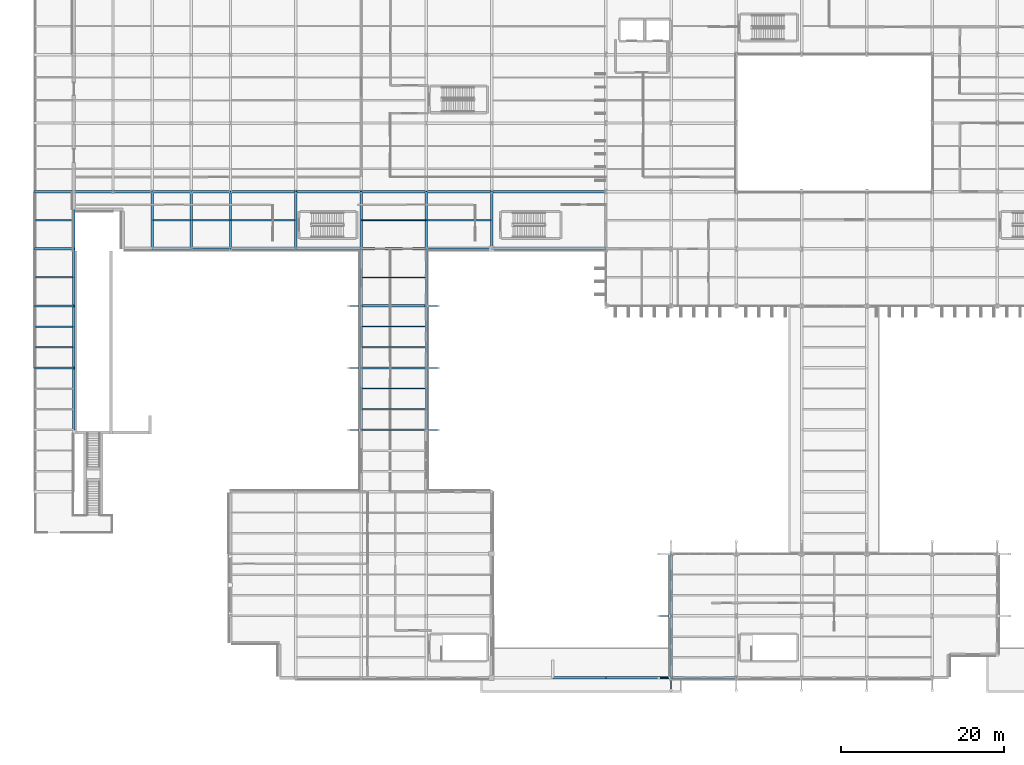
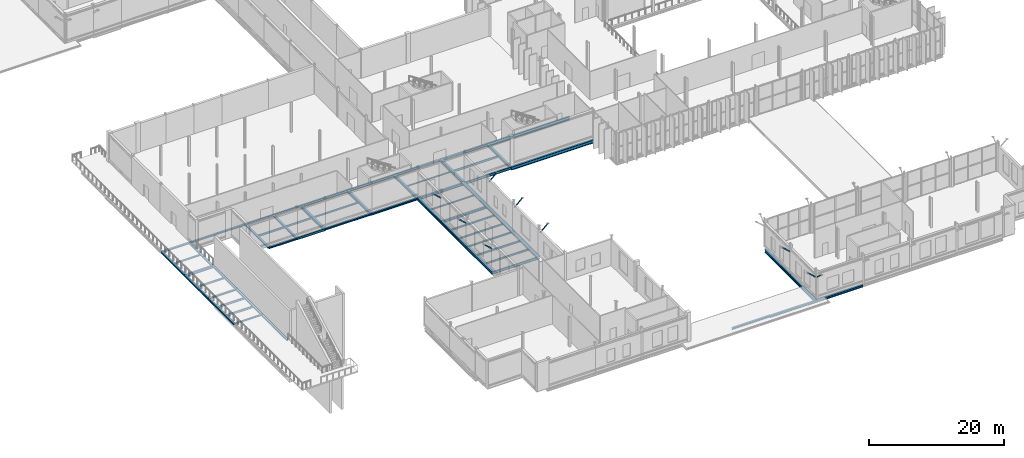
# One storey, part 26 of 147: 62 beams, 9 members.
"""IFC4 building model written with IfcOpenShell, lengths in metres."""

from ifc_helpers import new_model, si_unit, direction, frame, origin, origin_2d, place, context, subcontext, project, spatial, hollow_rectangle, i_section, extrude, material, material_profile, profile_set, type_object, element, save


model = new_model("IFC4")

# Units and contexts
model_context = context("Model", 3, precision=1e-05, world=origin(), true_north=direction((0.0, 1.0)))
body_context = subcontext(model_context, "Body", "Model", "MODEL_VIEW")
ifc_project = project(units=[si_unit("LENGTHUNIT", "METRE"), si_unit("AREAUNIT", "SQUARE_METRE"), si_unit("VOLUMEUNIT", "CUBIC_METRE"), si_unit("PLANEANGLEUNIT", "RADIAN"), si_unit("MASSUNIT", "GRAM", prefix="KILO")], contexts=[model_context])

# Site, building, storey
site_placement = place(None, origin())
site = spatial("IfcSite", under=ifc_project, at=site_placement, CompositionType="ELEMENT")
building_placement = place(site_placement, origin())
building = spatial("IfcBuilding", under=site, at=building_placement, Name="Vekula Escarpment Museum", CompositionType="ELEMENT")
storey_placement = place(building_placement, frame((0.0, 0.0, 7.800048828125)))
storey = spatial("IfcBuildingStorey", under=building, at=storey_placement, Name="L02", CompositionType="ELEMENT", Elevation=7.800048828125)

# Beams
ifc_material_1 = material(Name="Steel S355", Category="steel")
ifc_material_profile_1 = material_profile(ifc_material_1, i_section(OverallWidth=0.300048828125, OverallDepth=0.300048828125, WebThickness=0.010986328125, FlangeThickness=0.01904296875, FilletRadius=0.027099609375, at=origin_2d()), Name="HEB 300")
ifc_profile_set_1 = profile_set([ifc_material_profile_1], Name="Steel S355")
beam_type_1 = type_object("IfcBeamType", Name="BM-GIRD-HEB300", PredefinedType="BEAM", material=ifc_profile_set_1)
beam_1_placement = place(storey_placement, frame((14.39990234375, 52.60009765625, -0.41015625), z_axis=(1.0, 0.0, 0.0), x_axis=(0.0, 1.0, 0.0)))
element("IfcBeam", 1, at=beam_1_placement, inside=storey, type_object=beam_type_1, Name="Beam X L02 0853", PredefinedType="BEAM", context=body_context, shape_type="SweptSolid", body=[
    extrude(i_section(OverallWidth=0.300048828125, OverallDepth=0.300048828125, WebThickness=0.010986328125, FlangeThickness=0.01904296875, FilletRadius=0.027099609375, at=origin_2d()), origin(), (0.0, 0.0, 1.0), 4.800048828125),
])
beam_2_placement = place(storey_placement, frame((24.0, 52.60009765625, -0.41015625), z_axis=(1.0, 0.0, 0.0), x_axis=(0.0, 1.0, 0.0)))
element("IfcBeam", 2, at=beam_2_placement, inside=storey, type_object=beam_type_1, Name="Beam X L02 0855", PredefinedType="BEAM", context=body_context, shape_type="SweptSolid", body=[
    extrude(i_section(OverallWidth=0.300048828125, OverallDepth=0.300048828125, WebThickness=0.010986328125, FlangeThickness=0.01904296875, FilletRadius=0.027099609375, at=origin_2d()), origin(), (0.0, 0.0, 1.0), 8.0),
])
ifc_material_2 = material(Name="Steel S355", Category="steel")
ifc_material_profile_2 = material_profile(ifc_material_2, i_section(OverallWidth=0.300048828125, OverallDepth=0.360107421875, WebThickness=0.012451171875, FlangeThickness=0.0224609375, FilletRadius=0.027099609375, at=origin_2d()), Name="HEB 360")
ifc_profile_set_2 = profile_set([ifc_material_profile_2], Name="Steel S355")
beam_type_2 = type_object("IfcBeamType", Name="BM-GIRD-HEB360", PredefinedType="BEAM", material=ifc_profile_set_2)
beam_3_placement = place(storey_placement, frame((32.0, 52.60009765625, -0.43994140625), z_axis=(1.0, 0.0, 0.0), x_axis=(0.0, 1.0, 0.0)))
element("IfcBeam", 3, at=beam_3_placement, inside=storey, type_object=beam_type_2, Name="Beam X L02 0856", PredefinedType="BEAM", context=body_context, shape_type="SweptSolid", body=[
    extrude(i_section(OverallWidth=0.300048828125, OverallDepth=0.360107421875, WebThickness=0.012451171875, FlangeThickness=0.0224609375, FilletRadius=0.027099609375, at=origin_2d()), origin(), (0.0, 0.0, 1.0), 8.0),
])
ifc_material_3 = material(Name="Steel S355", Category="steel")
ifc_material_profile_3 = material_profile(ifc_material_3, i_section(OverallWidth=0.300048828125, OverallDepth=0.449951171875, WebThickness=0.013916015625, FlangeThickness=0.02587890625, FilletRadius=0.027099609375, at=origin_2d()), Name="HEB 450")
ifc_profile_set_3 = profile_set([ifc_material_profile_3], Name="Steel S355")
beam_type_3 = type_object("IfcBeamType", Name="BM-GIRD-HEB450", PredefinedType="BEAM", material=ifc_profile_set_3)
beam_4_placement = place(storey_placement, frame((0.0, 52.60009765625, -0.445068359375), z_axis=(1.0, 0.0, 0.0), x_axis=(0.0, 1.0, 0.0)))
element("IfcBeam", 4, at=beam_4_placement, inside=storey, type_object=beam_type_3, Name="Beam X L02 0852", PredefinedType="BEAM", context=body_context, shape_type="SweptSolid", body=[
    extrude(i_section(OverallWidth=0.300048828125, OverallDepth=0.449951171875, WebThickness=0.013916015625, FlangeThickness=0.02587890625, FilletRadius=0.027099609375, at=origin_2d()), origin(), (0.0, 0.0, 1.0), 4.800048828125),
])
beam_5_placement = place(storey_placement, frame((40.0, 52.60009765625, -0.485107421875), z_axis=(1.0, 0.0, 0.0), x_axis=(0.0, 1.0, 0.0)))
element("IfcBeam", 5, at=beam_5_placement, inside=storey, type_object=beam_type_3, Name="Beam X L02 0857", PredefinedType="BEAM", context=body_context, shape_type="SweptSolid", body=[
    extrude(i_section(OverallWidth=0.300048828125, OverallDepth=0.449951171875, WebThickness=0.013916015625, FlangeThickness=0.02587890625, FilletRadius=0.027099609375, at=origin_2d()), origin(), (0.0, 0.0, 1.0), 8.0),
])
ifc_material_4 = material(Name="Steel S355", Category="steel")
ifc_material_profile_4 = material_profile(ifc_material_4, i_section(OverallWidth=0.300048828125, OverallDepth=0.5, WebThickness=0.014404296875, FlangeThickness=0.028076171875, FilletRadius=0.027099609375, at=origin_2d()), Name="HEB 500")
ifc_profile_set_4 = profile_set([ifc_material_profile_4], Name="Steel S355")
beam_type_4 = type_object("IfcBeamType", Name="BM-GIRD-HEB500", PredefinedType="BEAM", material=ifc_profile_set_4)
for number, where, z_axis, x_axis, name in (
    (6, (24.0, 52.60009765625, -0.510009765625), (0.0, 1.0, 0.0), (-1.0, 0.0, 0.0), "Beam Y L02 1062"),
    (7, (32.0, 52.60009765625, -0.510009765625), (0.0, 1.0, 0.0), (-1.0, 0.0, 0.0), "Beam Y L02 1072"),
):
    element("IfcBeam", number, at=place(storey_placement, frame(where, z_axis=z_axis, x_axis=x_axis)), inside=storey, type_object=beam_type_4, Name=name, PredefinedType="BEAM", context=body_context, shape_type="SweptSolid", body=[
        extrude(i_section(OverallWidth=0.300048828125, OverallDepth=0.5, WebThickness=0.014404296875, FlangeThickness=0.028076171875, FilletRadius=0.027099609375, at=origin_2d()), origin(), (0.0, 0.0, 1.0), 7.0),
    ])
for number, where, z_axis, x_axis, name in (
    (8, (40.0, 30.39990234375, -0.510009765625), (0.0, 1.0, 0.0), (-1.0, 0.0, 0.0), "Beam Y L02 1083"),
    (9, (40.0, 38.0, -0.510009765625), (0.0, 1.0, 0.0), (-1.0, 0.0, 0.0), "Beam Y L02 1084"),
):
    element("IfcBeam", number, at=place(storey_placement, frame(where, z_axis=z_axis, x_axis=x_axis)), inside=storey, type_object=beam_type_4, Name=name, PredefinedType="BEAM", context=body_context, shape_type="SweptSolid", body=[
        extrude(i_section(OverallWidth=0.300048828125, OverallDepth=0.5, WebThickness=0.014404296875, FlangeThickness=0.028076171875, FilletRadius=0.027099609375, at=origin_2d()), origin(), (0.0, 0.0, 1.0), 7.60009765625),
    ])
for number, where, z_axis, x_axis, name in (
    (10, (40.0, 45.60009765625, -0.510009765625), (0.0, 1.0, 0.0), (-1.0, 0.0, 0.0), "Beam Y L02 1085"),
    (11, (40.0, 52.60009765625, -0.510009765625), (0.0, 1.0, 0.0), (-1.0, 0.0, 0.0), "Beam Y L02 1086"),
):
    element("IfcBeam", number, at=place(storey_placement, frame(where, z_axis=z_axis, x_axis=x_axis)), inside=storey, type_object=beam_type_4, Name=name, PredefinedType="BEAM", context=body_context, shape_type="SweptSolid", body=[
        extrude(i_section(OverallWidth=0.300048828125, OverallDepth=0.5, WebThickness=0.014404296875, FlangeThickness=0.028076171875, FilletRadius=0.027099609375, at=origin_2d()), origin(), (0.0, 0.0, 1.0), 7.0),
    ])
for number, where, z_axis, x_axis, name in (
    (12, (48.0, 30.39990234375, -0.510009765625), (0.0, 1.0, 0.0), (-1.0, 0.0, 0.0), "Beam Y L02 1101"),
    (13, (48.0, 38.0, -0.510009765625), (0.0, 1.0, 0.0), (-1.0, 0.0, 0.0), "Beam Y L02 1102"),
):
    element("IfcBeam", number, at=place(storey_placement, frame(where, z_axis=z_axis, x_axis=x_axis)), inside=storey, type_object=beam_type_4, Name=name, PredefinedType="BEAM", context=body_context, shape_type="SweptSolid", body=[
        extrude(i_section(OverallWidth=0.300048828125, OverallDepth=0.5, WebThickness=0.014404296875, FlangeThickness=0.028076171875, FilletRadius=0.027099609375, at=origin_2d()), origin(), (0.0, 0.0, 1.0), 7.60009765625),
    ])
for number, where, z_axis, x_axis, name in (
    (14, (48.0, 45.60009765625, -0.510009765625), (0.0, 1.0, 0.0), (-1.0, 0.0, 0.0), "Beam Y L02 1103"),
    (15, (48.0, 52.60009765625, -0.510009765625), (0.0, 1.0, 0.0), (-1.0, 0.0, 0.0), "Beam Y L02 1104"),
    (16, (56.0, 52.60009765625, -0.510009765625), (0.0, 1.0, 0.0), (-1.0, 0.0, 0.0), "Beam Y L02 1118"),
):
    element("IfcBeam", number, at=place(storey_placement, frame(where, z_axis=z_axis, x_axis=x_axis)), inside=storey, type_object=beam_type_4, Name=name, PredefinedType="BEAM", context=body_context, shape_type="SweptSolid", body=[
        extrude(i_section(OverallWidth=0.300048828125, OverallDepth=0.5, WebThickness=0.014404296875, FlangeThickness=0.028076171875, FilletRadius=0.027099609375, at=origin_2d()), origin(), (0.0, 0.0, 1.0), 7.0),
    ])
beam_6_placement = place(storey_placement, frame((78.0, 0.0, -0.510009765625), z_axis=(0.0, 1.0, 0.0), x_axis=(-1.0, 0.0, 0.0)))
element("IfcBeam", 17, at=beam_6_placement, inside=storey, type_object=beam_type_4, Name="Beam Y L02 1132", PredefinedType="BEAM", context=body_context, shape_type="SweptSolid", body=[
    extrude(i_section(OverallWidth=0.300048828125, OverallDepth=0.5, WebThickness=0.014404296875, FlangeThickness=0.028076171875, FilletRadius=0.027099609375, at=origin_2d()), origin(), (0.0, 0.0, 1.0), 7.60009765625),
])
beam_7_placement = place(storey_placement, frame((78.0, 7.60009765625, -0.510009765625), z_axis=(0.0, 1.0, 0.0), x_axis=(-1.0, 0.0, 0.0)))
element("IfcBeam", 18, at=beam_7_placement, inside=storey, type_object=beam_type_4, Name="Beam Y L02 1133", PredefinedType="BEAM", context=body_context, shape_type="SweptSolid", body=[
    extrude(i_section(OverallWidth=0.300048828125, OverallDepth=0.5, WebThickness=0.014404296875, FlangeThickness=0.028076171875, FilletRadius=0.027099609375, at=origin_2d()), origin(), (0.0, 0.0, 1.0), 7.599853515625),
])
ifc_material_5 = material(Name="Steel S355", Category="steel")
ifc_material_profile_5 = material_profile(ifc_material_5, i_section(OverallWidth=0.300048828125, OverallDepth=0.60009765625, WebThickness=0.015380859375, FlangeThickness=0.030029296875, FilletRadius=0.027099609375, at=origin_2d()), Name="HEB 600")
ifc_profile_set_5 = profile_set([ifc_material_profile_5], Name="Steel S355")
beam_type_5 = type_object("IfcBeamType", Name="BM-GIRD-HEB600", PredefinedType="BEAM", material=ifc_profile_set_5)
for number, where, z_axis, x_axis, name in (
    (19, (56.0, 52.60009765625, -0.56005859375), (1.0, 0.0, 0.0), (0.0, 1.0, 0.0), "Beam X L02 0859"),
    (20, (56.0, 59.60009765625, -0.56005859375), (1.0, 0.0, 0.0), (0.0, 1.0, 0.0), "Beam X L02 0877"),
):
    element("IfcBeam", number, at=place(storey_placement, frame(where, z_axis=z_axis, x_axis=x_axis)), inside=storey, type_object=beam_type_5, Name=name, PredefinedType="BEAM", context=body_context, shape_type="SweptSolid", body=[
        extrude(i_section(OverallWidth=0.300048828125, OverallDepth=0.60009765625, WebThickness=0.015380859375, FlangeThickness=0.030029296875, FilletRadius=0.027099609375, at=origin_2d()), origin(), (0.0, 0.0, 1.0), 14.0),
    ])
ifc_material_6 = material(Name="Steel S355", Category="steel")
ifc_material_profile_6 = material_profile(ifc_material_6, i_section(OverallWidth=0.179931640625, OverallDepth=0.39990234375, WebThickness=0.008544921875, FlangeThickness=0.013427734375, FilletRadius=0.02099609375, at=origin_2d()), Name="IPE 400")
ifc_profile_set_6 = profile_set([ifc_material_profile_6], Name="Steel S355")
beam_type_6 = type_object("IfcBeamType", Name="BM-GIRD-IPE400", PredefinedType="BEAM", material=ifc_profile_set_6)
beam_8_placement = place(storey_placement, frame((19.199951171875, 52.60009765625, -0.4599609375), z_axis=(1.0, 0.0, 0.0), x_axis=(0.0, 1.0, 0.0)))
element("IfcBeam", 21, at=beam_8_placement, inside=storey, type_object=beam_type_6, Name="Beam X L02 0854", PredefinedType="BEAM", context=body_context, shape_type="SweptSolid", body=[
    extrude(i_section(OverallWidth=0.179931640625, OverallDepth=0.39990234375, WebThickness=0.008544921875, FlangeThickness=0.013427734375, FilletRadius=0.02099609375, at=origin_2d()), origin(), (0.0, 0.0, 1.0), 4.800048828125),
])
ifc_material_7 = material(Name="Steel S355", Category="steel")
ifc_material_profile_7 = material_profile(ifc_material_7, i_section(OverallWidth=0.18994140625, OverallDepth=0.449951171875, WebThickness=0.009521484375, FlangeThickness=0.0146484375, FilletRadius=0.02099609375, at=origin_2d()), Name="IPE 450")
ifc_profile_set_7 = profile_set([ifc_material_profile_7], Name="Steel S355")
beam_type_7 = type_object("IfcBeamType", Name="BM-GIRD-IPE450", PredefinedType="BEAM", material=ifc_profile_set_7)
for number, where, z_axis, x_axis, name in (
    (22, (40.0, 30.39990234375, -0.485107421875), (1.0, 0.0, 0.0), (0.0, 1.0, 0.0), "Beam X L02 0835"),
    (23, (48.0, 52.60009765625, -0.485107421875), (1.0, 0.0, 0.0), (0.0, 1.0, 0.0), "Beam X L02 0858"),
):
    element("IfcBeam", number, at=place(storey_placement, frame(where, z_axis=z_axis, x_axis=x_axis)), inside=storey, type_object=beam_type_7, Name=name, PredefinedType="BEAM", context=body_context, shape_type="SweptSolid", body=[
        extrude(i_section(OverallWidth=0.18994140625, OverallDepth=0.449951171875, WebThickness=0.009521484375, FlangeThickness=0.0146484375, FilletRadius=0.02099609375, at=origin_2d()), origin(), (0.0, 0.0, 1.0), 8.0),
    ])
ifc_material_8 = material(Name="Steel S355", Category="steel")
ifc_material_profile_8 = material_profile(ifc_material_8, i_section(OverallWidth=0.1201171875, OverallDepth=0.239990234375, WebThickness=0.006103515625, FlangeThickness=0.009765625, FilletRadius=0.014892578125, at=origin_2d()), Name="IPE 240")
ifc_profile_set_8 = profile_set([ifc_material_profile_8], Name="Steel S355")
beam_type_8 = type_object("IfcBeamType", Name="BM-JST-IPE240", PredefinedType="JOIST", material=ifc_profile_set_8)
beam_9_placement = place(storey_placement, frame((40.090087890625, 56.10009765625, -0.380126953125), z_axis=(1.0, 0.0, 0.0), x_axis=(0.0, 1.0, 0.0)))
element("IfcBeam", 24, at=beam_9_placement, inside=storey, type_object=beam_type_8, Name="Secondary Joist L02 0696", PredefinedType="JOIST", context=body_context, shape_type="SweptSolid", body=[
    extrude(i_section(OverallWidth=0.1201171875, OverallDepth=0.239990234375, WebThickness=0.006103515625, FlangeThickness=0.009765625, FilletRadius=0.014892578125, at=origin_2d()), origin(), (0.0, 0.0, 1.0), 7.81982421875),
])
ifc_material_9 = material(Name="Steel S355", Category="steel")
ifc_material_profile_9 = material_profile(ifc_material_9, i_section(OverallWidth=0.135009765625, OverallDepth=0.27001953125, WebThickness=0.006591796875, FlangeThickness=0.01025390625, FilletRadius=0.014892578125, at=origin_2d()), Name="IPE 270")
ifc_profile_set_9 = profile_set([ifc_material_profile_9], Name="Steel S355")
beam_type_9 = type_object("IfcBeamType", Name="BM-JST-IPE270", PredefinedType="JOIST", material=ifc_profile_set_9)
beam_10_placement = place(storey_placement, frame((40.090087890625, 49.10009765625, -0.39501953125), z_axis=(1.0, 0.0, 0.0), x_axis=(0.0, 1.0, 0.0)))
element("IfcBeam", 25, at=beam_10_placement, inside=storey, type_object=beam_type_9, Name="Secondary Joist L02 0695", PredefinedType="JOIST", context=body_context, shape_type="SweptSolid", body=[
    extrude(i_section(OverallWidth=0.135009765625, OverallDepth=0.27001953125, WebThickness=0.006591796875, FlangeThickness=0.01025390625, FilletRadius=0.014892578125, at=origin_2d()), origin(), (0.0, 0.0, 1.0), 7.81982421875),
])
ifc_material_10 = material(Name="Steel S355", Category="steel")
ifc_material_profile_10 = material_profile(ifc_material_10, i_section(OverallWidth=0.14990234375, OverallDepth=0.300048828125, WebThickness=0.007080078125, FlangeThickness=0.0107421875, FilletRadius=0.014892578125, at=origin_2d()), Name="IPE 300")
ifc_profile_set_10 = profile_set([ifc_material_profile_10], Name="Steel S355")
beam_type_10 = type_object("IfcBeamType", Name="BM-JST-IPE300", PredefinedType="JOIST", material=ifc_profile_set_10)
beam_11_placement = place(storey_placement, frame((0.090087890625, 56.10009765625, -0.41015625), z_axis=(1.0, 0.0, 0.0), x_axis=(0.0, 1.0, 0.0)))
element("IfcBeam", 26, at=beam_11_placement, inside=storey, type_object=beam_type_10, Name="Secondary Joist L02 0602", PredefinedType="JOIST", context=body_context, shape_type="SweptSolid", body=[
    extrude(i_section(OverallWidth=0.14990234375, OverallDepth=0.300048828125, WebThickness=0.007080078125, FlangeThickness=0.0107421875, FilletRadius=0.014892578125, at=origin_2d()), origin(), (0.0, 0.0, 1.0), 4.619873046875),
])
for number, where, z_axis, x_axis, name in (
    (27, (24.090087890625, 56.10009765625, -0.41015625), (1.0, 0.0, 0.0), (0.0, 1.0, 0.0), "Secondary Joist L02 0656"),
    (28, (40.090087890625, 40.533203125, -0.41015625), (1.0, 0.0, 0.0), (0.0, 1.0, 0.0), "Secondary Joist L02 0693"),
    (29, (40.090087890625, 43.066650390625, -0.41015625), (1.0, 0.0, 0.0), (0.0, 1.0, 0.0), "Secondary Joist L02 0694"),
):
    element("IfcBeam", number, at=place(storey_placement, frame(where, z_axis=z_axis, x_axis=x_axis)), inside=storey, type_object=beam_type_10, Name=name, PredefinedType="JOIST", context=body_context, shape_type="SweptSolid", body=[
        extrude(i_section(OverallWidth=0.14990234375, OverallDepth=0.300048828125, WebThickness=0.007080078125, FlangeThickness=0.0107421875, FilletRadius=0.014892578125, at=origin_2d()), origin(), (0.0, 0.0, 1.0), 7.81982421875),
    ])
ifc_material_11 = material(Name="Steel S355", Category="steel")
ifc_material_profile_11 = material_profile(ifc_material_11, i_section(OverallWidth=0.159912109375, OverallDepth=0.330078125, WebThickness=0.007568359375, FlangeThickness=0.011474609375, FilletRadius=0.01806640625, at=origin_2d()), Name="IPE 330")
ifc_profile_set_11 = profile_set([ifc_material_profile_11], Name="Steel S355")
beam_type_11 = type_object("IfcBeamType", Name="BM-JST-IPE330", PredefinedType="JOIST", material=ifc_profile_set_11)
for number, where, z_axis, x_axis, name in (
    (30, (0.090087890625, 49.10009765625, -0.385009765625), (1.0, 0.0, 0.0), (0.0, 1.0, 0.0), "Secondary Joist L02 0601"),
    (31, (19.2900390625, 56.10009765625, -0.425048828125), (1.0, 0.0, 0.0), (0.0, 1.0, 0.0), "Secondary Joist L02 0642"),
):
    element("IfcBeam", number, at=place(storey_placement, frame(where, z_axis=z_axis, x_axis=x_axis)), inside=storey, type_object=beam_type_11, Name=name, PredefinedType="JOIST", context=body_context, shape_type="SweptSolid", body=[
        extrude(i_section(OverallWidth=0.159912109375, OverallDepth=0.330078125, WebThickness=0.007568359375, FlangeThickness=0.011474609375, FilletRadius=0.01806640625, at=origin_2d()), origin(), (0.0, 0.0, 1.0), 4.619873046875),
    ])
for number, where, z_axis, x_axis, name in (
    (32, (40.090087890625, 32.933349609375, -0.425048828125), (1.0, 0.0, 0.0), (0.0, 1.0, 0.0), "Secondary Joist L02 0691"),
    (33, (40.090087890625, 35.466796875, -0.425048828125), (1.0, 0.0, 0.0), (0.0, 1.0, 0.0), "Secondary Joist L02 0692"),
):
    element("IfcBeam", number, at=place(storey_placement, frame(where, z_axis=z_axis, x_axis=x_axis)), inside=storey, type_object=beam_type_11, Name=name, PredefinedType="JOIST", context=body_context, shape_type="SweptSolid", body=[
        extrude(i_section(OverallWidth=0.159912109375, OverallDepth=0.330078125, WebThickness=0.007568359375, FlangeThickness=0.011474609375, FilletRadius=0.01806640625, at=origin_2d()), origin(), (0.0, 0.0, 1.0), 7.81982421875),
    ])
ifc_material_12 = material(Name="Steel S355", Category="steel")
ifc_material_profile_12 = material_profile(ifc_material_12, i_section(OverallWidth=0.169921875, OverallDepth=0.360107421875, WebThickness=0.008056640625, FlangeThickness=0.0126953125, FilletRadius=0.01806640625, at=origin_2d()), Name="IPE 360")
ifc_profile_set_12 = profile_set([ifc_material_profile_12], Name="Steel S355")
beam_type_12 = type_object("IfcBeamType", Name="BM-JST-IPE360", PredefinedType="JOIST", material=ifc_profile_set_12)
for number, where, z_axis, x_axis, name in (
    (34, (0.090087890625, 40.533203125, -0.400146484375), (1.0, 0.0, 0.0), (0.0, 1.0, 0.0), "Secondary Joist L02 0599"),
    (35, (0.090087890625, 43.066650390625, -0.400146484375), (1.0, 0.0, 0.0), (0.0, 1.0, 0.0), "Secondary Joist L02 0600"),
):
    element("IfcBeam", number, at=place(storey_placement, frame(where, z_axis=z_axis, x_axis=x_axis)), inside=storey, type_object=beam_type_12, Name=name, PredefinedType="JOIST", context=body_context, shape_type="SweptSolid", body=[
        extrude(i_section(OverallWidth=0.169921875, OverallDepth=0.360107421875, WebThickness=0.008056640625, FlangeThickness=0.0126953125, FilletRadius=0.01806640625, at=origin_2d()), origin(), (0.0, 0.0, 1.0), 4.619873046875),
    ])
beam_12_placement = place(storey_placement, frame((14.489990234375, 56.10009765625, -0.43994140625), z_axis=(1.0, 0.0, 0.0), x_axis=(0.0, 1.0, 0.0)))
element("IfcBeam", 36, at=beam_12_placement, inside=storey, type_object=beam_type_12, Name="Secondary Joist L02 0632", PredefinedType="JOIST", context=body_context, shape_type="SweptSolid", body=[
    extrude(i_section(OverallWidth=0.169921875, OverallDepth=0.360107421875, WebThickness=0.008056640625, FlangeThickness=0.0126953125, FilletRadius=0.01806640625, at=origin_2d()), origin(), (0.0, 0.0, 1.0), 4.6201171875),
])
beam_13_placement = place(storey_placement, frame((48.090087890625, 56.10009765625, -0.43994140625), z_axis=(1.0, 0.0, 0.0), x_axis=(0.0, 1.0, 0.0)))
element("IfcBeam", 37, at=beam_13_placement, inside=storey, type_object=beam_type_12, Name="Secondary Joist L02 0719", PredefinedType="JOIST", context=body_context, shape_type="SweptSolid", body=[
    extrude(i_section(OverallWidth=0.169921875, OverallDepth=0.360107421875, WebThickness=0.008056640625, FlangeThickness=0.0126953125, FilletRadius=0.01806640625, at=origin_2d()), origin(), (0.0, 0.0, 1.0), 7.81982421875),
])
ifc_material_13 = material(Name="Steel S355", Category="steel")
ifc_material_profile_13 = material_profile(ifc_material_13, i_section(OverallWidth=0.239990234375, OverallDepth=0.22998046875, WebThickness=0.007568359375, FlangeThickness=0.011962890625, FilletRadius=0.02099609375, at=origin_2d()), Name="HEA 240")
ifc_profile_set_13 = profile_set([ifc_material_profile_13], Name="Steel S355")
beam_type_13 = type_object("IfcBeamType", Name="BM-SPAN-HEA240", PredefinedType="SPANDREL", material=ifc_profile_set_13)
beam_14_placement = place(storey_placement, frame((0.0, 38.0, -0.3349609375), z_axis=(1.0, 0.0, 0.0), x_axis=(0.0, 1.0, 0.0)))
element("IfcBeam", 38, at=beam_14_placement, inside=storey, type_object=beam_type_13, Name="Beam X L02 0838", PredefinedType="SPANDREL", context=body_context, shape_type="SweptSolid", body=[
    extrude(i_section(OverallWidth=0.239990234375, OverallDepth=0.22998046875, WebThickness=0.007568359375, FlangeThickness=0.011962890625, FilletRadius=0.02099609375, at=origin_2d()), origin(), (0.0, 0.0, 1.0), 4.800048828125),
])
beam_15_placement = place(storey_placement, frame((40.0, 38.0, -0.375), z_axis=(1.0, 0.0, 0.0), x_axis=(0.0, 1.0, 0.0)))
element("IfcBeam", 39, at=beam_15_placement, inside=storey, type_object=beam_type_13, Name="Beam X L02 0839", PredefinedType="SPANDREL", context=body_context, shape_type="SweptSolid", body=[
    extrude(i_section(OverallWidth=0.239990234375, OverallDepth=0.22998046875, WebThickness=0.007568359375, FlangeThickness=0.011962890625, FilletRadius=0.02099609375, at=origin_2d()), origin(), (0.0, 0.0, 1.0), 8.0),
])
ifc_material_14 = material(Name="Steel S355", Category="steel")
ifc_material_profile_14 = material_profile(ifc_material_14, i_section(OverallWidth=0.280029296875, OverallDepth=0.27001953125, WebThickness=0.008056640625, FlangeThickness=0.012939453125, FilletRadius=0.02392578125, at=origin_2d()), Name="HEA 280")
ifc_profile_set_14 = profile_set([ifc_material_profile_14], Name="Steel S355")
beam_type_14 = type_object("IfcBeamType", Name="BM-SPAN-HEA280", PredefinedType="SPANDREL", material=ifc_profile_set_14)
for number, where, z_axis, x_axis, name in (
    (40, (0.0, 45.60009765625, -0.35498046875), (1.0, 0.0, 0.0), (0.0, 1.0, 0.0), "Beam X L02 0842"),
    (41, (0.0, 59.60009765625, -0.39501953125), (1.0, 0.0, 0.0), (0.0, 1.0, 0.0), "Beam X L02 0868"),
    (42, (4.800048828125, 59.60009765625, -0.39501953125), (1.0, 0.0, 0.0), (0.0, 1.0, 0.0), "Beam X L02 0869"),
):
    element("IfcBeam", number, at=place(storey_placement, frame(where, z_axis=z_axis, x_axis=x_axis)), inside=storey, type_object=beam_type_14, Name=name, PredefinedType="SPANDREL", context=body_context, shape_type="SweptSolid", body=[
        extrude(i_section(OverallWidth=0.280029296875, OverallDepth=0.27001953125, WebThickness=0.008056640625, FlangeThickness=0.012939453125, FilletRadius=0.02392578125, at=origin_2d()), origin(), (0.0, 0.0, 1.0), 4.800048828125),
    ])
beam_16_placement = place(storey_placement, frame((9.60009765625, 59.60009765625, -0.39501953125), z_axis=(1.0, 0.0, 0.0), x_axis=(0.0, 1.0, 0.0)))
element("IfcBeam", 43, at=beam_16_placement, inside=storey, type_object=beam_type_14, Name="Beam X L02 0870", PredefinedType="SPANDREL", context=body_context, shape_type="SweptSolid", body=[
    extrude(i_section(OverallWidth=0.280029296875, OverallDepth=0.27001953125, WebThickness=0.008056640625, FlangeThickness=0.012939453125, FilletRadius=0.02392578125, at=origin_2d()), origin(), (0.0, 0.0, 1.0), 4.7998046875),
])
for number, where, z_axis, x_axis, name in (
    (44, (14.39990234375, 59.60009765625, -0.39501953125), (1.0, 0.0, 0.0), (0.0, 1.0, 0.0), "Beam X L02 0871"),
    (45, (19.199951171875, 59.60009765625, -0.39501953125), (1.0, 0.0, 0.0), (0.0, 1.0, 0.0), "Beam X L02 0872"),
):
    element("IfcBeam", number, at=place(storey_placement, frame(where, z_axis=z_axis, x_axis=x_axis)), inside=storey, type_object=beam_type_14, Name=name, PredefinedType="SPANDREL", context=body_context, shape_type="SweptSolid", body=[
        extrude(i_section(OverallWidth=0.280029296875, OverallDepth=0.27001953125, WebThickness=0.008056640625, FlangeThickness=0.012939453125, FilletRadius=0.02392578125, at=origin_2d()), origin(), (0.0, 0.0, 1.0), 4.800048828125),
    ])
ifc_material_15 = material(Name="Steel S355", Category="steel")
ifc_material_profile_15 = material_profile(ifc_material_15, i_section(OverallWidth=0.300048828125, OverallDepth=0.2900390625, WebThickness=0.008544921875, FlangeThickness=0.013916015625, FilletRadius=0.027099609375, at=origin_2d()), Name="HEA 300")
ifc_profile_set_15 = profile_set([ifc_material_profile_15], Name="Steel S355")
beam_type_15 = type_object("IfcBeamType", Name="BM-SPAN-HEA300", PredefinedType="SPANDREL", material=ifc_profile_set_15)
beam_17_placement = place(storey_placement, frame((0.0, 38.0, -0.364990234375), z_axis=(0.0, 1.0, 0.0), x_axis=(-1.0, 0.0, 0.0)))
element("IfcBeam", 46, at=beam_17_placement, inside=storey, type_object=beam_type_15, Name="Beam Y L02 1023", PredefinedType="SPANDREL", context=body_context, shape_type="SweptSolid", body=[
    extrude(i_section(OverallWidth=0.300048828125, OverallDepth=0.2900390625, WebThickness=0.008544921875, FlangeThickness=0.013916015625, FilletRadius=0.027099609375, at=origin_2d()), origin(), (0.0, 0.0, 1.0), 7.60009765625),
])
for number, where, z_axis, x_axis, name in (
    (47, (0.0, 45.60009765625, -0.364990234375), (0.0, 1.0, 0.0), (-1.0, 0.0, 0.0), "Beam Y L02 1024"),
    (48, (0.0, 52.60009765625, -0.364990234375), (0.0, 1.0, 0.0), (-1.0, 0.0, 0.0), "Beam Y L02 1025"),
):
    element("IfcBeam", number, at=place(storey_placement, frame(where, z_axis=z_axis, x_axis=x_axis)), inside=storey, type_object=beam_type_15, Name=name, PredefinedType="SPANDREL", context=body_context, shape_type="SweptSolid", body=[
        extrude(i_section(OverallWidth=0.300048828125, OverallDepth=0.2900390625, WebThickness=0.008544921875, FlangeThickness=0.013916015625, FilletRadius=0.027099609375, at=origin_2d()), origin(), (0.0, 0.0, 1.0), 7.0),
    ])
for number, where, z_axis, x_axis, name in (
    (49, (4.800048828125, 30.39990234375, -0.364990234375), (0.0, 1.0, 0.0), (-1.0, 0.0, 0.0), "Beam Y L02 1032"),
    (50, (4.800048828125, 38.0, -0.364990234375), (0.0, 1.0, 0.0), (-1.0, 0.0, 0.0), "Beam Y L02 1033"),
):
    element("IfcBeam", number, at=place(storey_placement, frame(where, z_axis=z_axis, x_axis=x_axis)), inside=storey, type_object=beam_type_15, Name=name, PredefinedType="SPANDREL", context=body_context, shape_type="SweptSolid", body=[
        extrude(i_section(OverallWidth=0.300048828125, OverallDepth=0.2900390625, WebThickness=0.008544921875, FlangeThickness=0.013916015625, FilletRadius=0.027099609375, at=origin_2d()), origin(), (0.0, 0.0, 1.0), 7.60009765625),
    ])
for number, where, z_axis, x_axis, name in (
    (51, (4.800048828125, 45.60009765625, -0.364990234375), (0.0, 1.0, 0.0), (-1.0, 0.0, 0.0), "Beam Y L02 1034"),
    (52, (4.800048828125, 52.60009765625, -0.405029296875), (0.0, 1.0, 0.0), (-1.0, 0.0, 0.0), "Beam Y L02 1035"),
    (53, (14.39990234375, 52.60009765625, -0.405029296875), (0.0, 1.0, 0.0), (-1.0, 0.0, 0.0), "Beam Y L02 1047"),
    (54, (19.199951171875, 52.60009765625, -0.405029296875), (0.0, 1.0, 0.0), (-1.0, 0.0, 0.0), "Beam Y L02 1054"),
):
    element("IfcBeam", number, at=place(storey_placement, frame(where, z_axis=z_axis, x_axis=x_axis)), inside=storey, type_object=beam_type_15, Name=name, PredefinedType="SPANDREL", context=body_context, shape_type="SweptSolid", body=[
        extrude(i_section(OverallWidth=0.300048828125, OverallDepth=0.2900390625, WebThickness=0.008544921875, FlangeThickness=0.013916015625, FilletRadius=0.027099609375, at=origin_2d()), origin(), (0.0, 0.0, 1.0), 7.0),
    ])
ifc_material_16 = material(Name="Steel S355", Category="steel")
ifc_material_profile_16 = material_profile(ifc_material_16, i_section(OverallWidth=0.300048828125, OverallDepth=0.330078125, WebThickness=0.009521484375, FlangeThickness=0.0166015625, FilletRadius=0.027099609375, at=origin_2d()), Name="HEA 340")
ifc_profile_set_16 = profile_set([ifc_material_profile_16], Name="Steel S355")
beam_type_16 = type_object("IfcBeamType", Name="BM-SPAN-HEA340", PredefinedType="SPANDREL", material=ifc_profile_set_16)
beam_18_placement = place(storey_placement, frame((63.5, 0.0, -0.364990234375), z_axis=(1.0, 0.0, 0.0), x_axis=(0.0, 1.0, 0.0)))
element("IfcBeam", 55, at=beam_18_placement, inside=storey, type_object=beam_type_16, Name="Beam X L02 0789", PredefinedType="SPANDREL", context=body_context, shape_type="SweptSolid", body=[
    extrude(i_section(OverallWidth=0.300048828125, OverallDepth=0.330078125, WebThickness=0.009521484375, FlangeThickness=0.0166015625, FilletRadius=0.027099609375, at=origin_2d()), origin(), (0.0, 0.0, 1.0), 6.5),
])
ifc_material_17 = material(Name="Steel S355", Category="steel")
ifc_material_profile_17 = material_profile(ifc_material_17, i_section(OverallWidth=0.300048828125, OverallDepth=0.389892578125, WebThickness=0.010986328125, FlangeThickness=0.01904296875, FilletRadius=0.027099609375, at=origin_2d()), Name="HEA 400")
ifc_profile_set_17 = profile_set([ifc_material_profile_17], Name="Steel S355")
beam_type_17 = type_object("IfcBeamType", Name="BM-SPAN-HEA400", PredefinedType="SPANDREL", material=ifc_profile_set_17)
for number, where, z_axis, x_axis, name in (
    (56, (70.0, 0.0, -0.455078125), (1.0, 0.0, 0.0), (0.0, 1.0, 0.0), "Beam X L02 0790"),
    (57, (78.0, 0.0, -0.455078125), (1.0, 0.0, 0.0), (0.0, 1.0, 0.0), "Beam X L02 0791"),
    (58, (40.0, 45.60009765625, -0.455078125), (1.0, 0.0, 0.0), (0.0, 1.0, 0.0), "Beam X L02 0843"),
    (59, (24.0, 59.60009765625, -0.455078125), (1.0, 0.0, 0.0), (0.0, 1.0, 0.0), "Beam X L02 0873"),
    (60, (32.0, 59.60009765625, -0.455078125), (1.0, 0.0, 0.0), (0.0, 1.0, 0.0), "Beam X L02 0874"),
    (61, (40.0, 59.60009765625, -0.455078125), (1.0, 0.0, 0.0), (0.0, 1.0, 0.0), "Beam X L02 0875"),
    (62, (48.0, 59.60009765625, -0.455078125), (1.0, 0.0, 0.0), (0.0, 1.0, 0.0), "Beam X L02 0876"),
):
    element("IfcBeam", number, at=place(storey_placement, frame(where, z_axis=z_axis, x_axis=x_axis)), inside=storey, type_object=beam_type_17, Name=name, PredefinedType="SPANDREL", context=body_context, shape_type="SweptSolid", body=[
        extrude(i_section(OverallWidth=0.300048828125, OverallDepth=0.389892578125, WebThickness=0.010986328125, FlangeThickness=0.01904296875, FilletRadius=0.027099609375, at=origin_2d()), origin(), (0.0, 0.0, 1.0), 8.0),
    ])

# Members
ifc_material_18 = material(Name="Steel S355", Category="steel")
ifc_material_profile_18 = material_profile(ifc_material_18, hollow_rectangle(XDim=0.10009765625, YDim=0.199951171875, WallThickness=0.008056640625, InnerFilletRadius=0.008056640625, OuterFilletRadius=0.01611328125, at=origin_2d()), Name="RHS 200x100x8")
ifc_profile_set_18 = profile_set([ifc_material_profile_18], Name="Steel S355")
member_type = type_object("IfcMemberType", Name="MB-SACAK-BRK", PredefinedType="STRUT", material=ifc_profile_set_18)
for number, where, z_axis, x_axis, name in (
    (63, (39.8798828125, 30.39990234375, 3.949951171875), (-0.738454378718, 0.0, 0.674303441006), (0.0, -1.0, 0.0), "Ottoman Sacak Eave Bracket L03-0038"),
    (64, (39.8798828125, 38.0, 3.949951171875), (-0.738454378718, 0.0, 0.674303441006), (0.0, -1.0, 0.0), "Ottoman Sacak Eave Bracket L03-0039"),
    (65, (39.8798828125, 45.60009765625, 3.949951171875), (-0.738454378718, 0.0, 0.674303441006), (0.0, -1.0, 0.0), "Ottoman Sacak Eave Bracket L03-0040"),
    (66, (48.1201171875, 30.39990234375, 3.949951171875), (0.738454378718, 0.0, 0.674303441006), (0.0, 1.0, 0.0), "Ottoman Sacak Eave Bracket L03-0041"),
    (67, (48.1201171875, 38.0, 3.949951171875), (0.738454378718, 0.0, 0.674303441006), (0.0, 1.0, 0.0), "Ottoman Sacak Eave Bracket L03-0042"),
    (68, (48.1201171875, 45.60009765625, 3.949951171875), (0.738454378718, 0.0, 0.674303441006), (0.0, 1.0, 0.0), "Ottoman Sacak Eave Bracket L03-0043"),
    (69, (77.8798828125, 0.0, 3.949951171875), (-0.738454378718, 0.0, 0.674303441006), (0.0, -1.0, 0.0), "Ottoman Sacak Eave Bracket L03-0044"),
    (70, (78.0, -0.1201171875, 3.949951171875), (0.0, -0.738454378718, 0.674303441006), (1.0, 0.0, 0.0), "Ottoman Sacak Eave Bracket L03-0045"),
    (71, (77.8798828125, 7.60009765625, 3.949951171875), (-0.738454378718, 0.0, 0.674303441006), (0.0, -1.0, 0.0), "Ottoman Sacak Eave Bracket L03-0046"),
):
    element("IfcMember", number, at=place(storey_placement, frame(where, z_axis=z_axis, x_axis=x_axis)), inside=storey, type_object=member_type, Name=name, PredefinedType="STRUT", context=body_context, shape_type="SweptSolid", body=[
        extrude(hollow_rectangle(XDim=0.10009765625, YDim=0.199951171875, WallThickness=0.008056640625, InnerFilletRadius=0.008056640625, OuterFilletRadius=0.01611328125, at=origin_2d()), origin(), (0.0, 0.0, 1.0), 1.86865234375),
    ])

save(model, "model.ifc")
